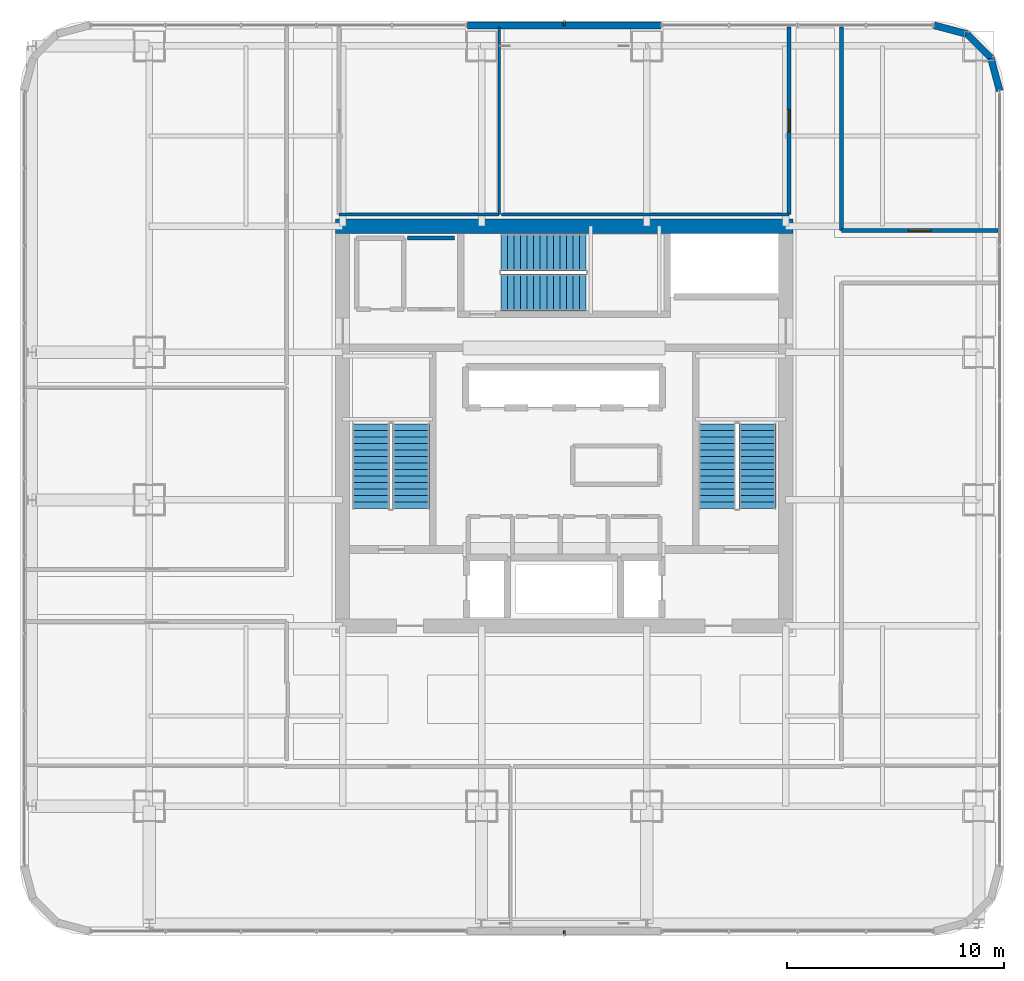
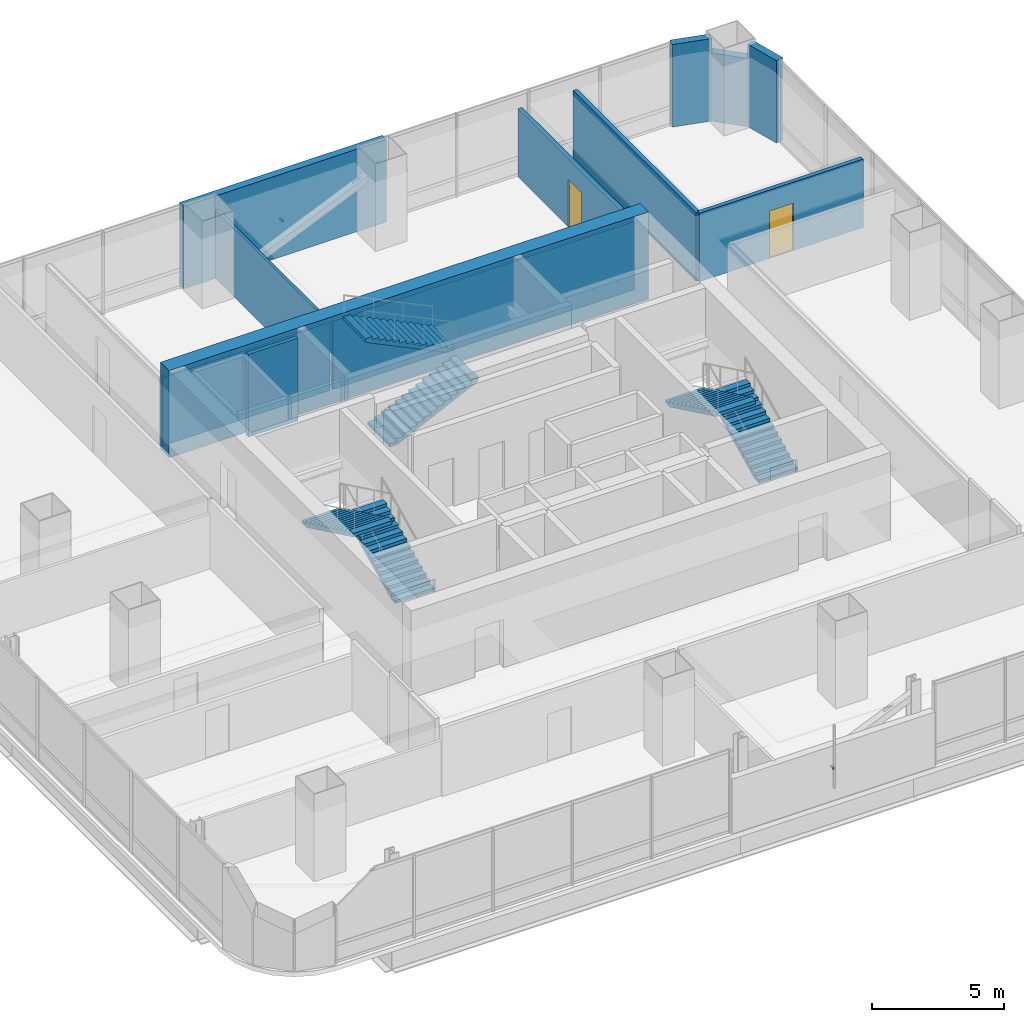
# One storey, part 30 of 38: 12 walls, 6 stair flights, 2 discrete accessories, 2 doors, 2 openings, 3 elements without a shape of their own.
"""IFC4 building model written with IfcOpenShell, lengths in metres."""

from ifc_helpers import new_model, si_unit, direction, frame, frame_2d, origin, origin_2d, place, context, subcontext, project, spatial, polyline, rectangle, outline, extrude, material, layer, layer_set, type_object, element, fill, aggregate, save


model = new_model("IFC4")

# Units and contexts
model_context = context("Model", 3, precision=1e-05, world=origin(), true_north=direction((0.0, 1.0)))
body_context = subcontext(model_context, "Body", "Model", "MODEL_VIEW")
ifc_project = project(units=[si_unit("LENGTHUNIT", "METRE"), si_unit("AREAUNIT", "SQUARE_METRE"), si_unit("VOLUMEUNIT", "CUBIC_METRE"), si_unit("PLANEANGLEUNIT", "RADIAN"), si_unit("MASSUNIT", "GRAM", prefix="KILO")], contexts=[model_context])

# Site, building, storey
site_placement = place(None, origin())
site = spatial("IfcSite", under=ifc_project, at=site_placement, CompositionType="ELEMENT")
building_placement = place(site_placement, origin())
building = spatial("IfcBuilding", under=site, at=building_placement, Name="Punatoya Terracotta Tower", CompositionType="ELEMENT")
storey_placement = place(building_placement, frame((0.0, 0.0, 188.39990234375)))
storey = spatial("IfcBuildingStorey", under=building, at=storey_placement, Name="L44", CompositionType="ELEMENT", Elevation=188.39990234375)

# Walls
ifc_material_1 = material(Name="Concrete C60/75", Category="concrete")
ifc_layer_1 = layer(ifc_material_1, 0.64990234375)
ifc_layer_set_1 = layer_set([ifc_layer_1], Name="Concrete C60/75")
wall_type_1 = type_object("IfcWallType", Name="WL-COR-650", PredefinedType="SHEAR", material=ifc_layer_set_1)
wall_1_placement = place(storey_placement, frame((-10.52490234375, 9.199951171875, 0.0), z_axis=(0.0, 0.0, 1.0), x_axis=(1.0, 0.0, 0.0)))
element("IfcWall", 1, at=wall_1_placement, inside=storey, type_object=wall_type_1, Name="L44 Core Shear Wall N", PredefinedType="SHEAR", context=body_context, shape_type="SweptSolid", body=[
    extrude(rectangle(XDim=21.0498046875, YDim=0.64990234375, at=frame_2d((10.52490234375, 0.0))), origin(), (0.0, 0.0, 1.0), 4.050048828125),
])
ifc_material_2 = material(Name="Gypsum Fireboard + Steel Stud", Category="steel")
ifc_layer_2 = layer(ifc_material_2, 0.179931640625)
ifc_layer_set_2 = layer_set([ifc_layer_2], Name="Gypsum Fireboard + Steel Stud")
wall_type_2 = type_object("IfcWallType", Name="WL-CORR-180", PredefinedType="PARTITIONING", material=ifc_layer_set_2)
wall_2_placement = place(storey_placement, frame((-5.050048828125, 8.64990234375, 0.0), z_axis=(0.0, 0.0, 1.0), x_axis=(-1.0, 0.0, 0.0)))
element("IfcWall", 2, at=wall_2_placement, inside=storey, type_object=wall_type_2, Name="L44 West Core Print Room Partition 18", PredefinedType="PARTITIONING", context=body_context, shape_type="SweptSolid", body=[
    extrude(rectangle(XDim=2.169921875, YDim=0.179931640625, at=frame_2d((1.0849609375, 0.0))), origin(), (0.0, 0.0, 1.0), 3.830078125),
])

# Wall, opening, door
wall_3_placement = place(storey_placement, frame((19.969970703125, 9.0, 0.0), z_axis=(0.0, 0.0, 1.0), x_axis=(-1.0, 0.0, 0.0)))
wall_3 = element("IfcWall", 3, at=wall_3_placement, inside=storey, type_object=wall_type_2, Name="L44 Open-Plan Wellness Quiet Room Partition 37", PredefinedType="PARTITIONING", context=body_context, shape_type="SweptSolid", body=[
    extrude(rectangle(XDim=7.199951171875, YDim=0.179931640625, at=frame_2d((3.60009765625, 0.0))), origin(), (0.0, 0.0, 1.0), 3.174072265625),
])
opening_1_placement = place(wall_3_placement, frame((3.074951171875, 0.0, 0.0)))
opening_1 = element("IfcOpeningElement", 4, at=opening_1_placement, cuts=wall_3, Name="Opening OD-01", PredefinedType="OPENING", context=body_context, shape_type="SweptSolid", body=[
    extrude(rectangle(XDim=1.050048828125, YDim=2.199951171875, at=frame_2d((0.52490234375, 1.10009765625))), frame((0.0, 0.099853515625, 0.0), z_axis=(0.0, -1.0, 0.0), x_axis=(1.0, 0.0, 0.0)), (0.0, 0.0, 1.0), 0.199951171875),
])
ifc_material_3 = material(Name="Bengal Teak Solid-Core Leaf")
door_type = type_object("IfcDoorType", Name="DR-OFF-1050", OperationType="NOTDEFINED", PredefinedType="DOOR", material=ifc_material_3)
door_1_placement = place(opening_1_placement, origin())
door_1 = element("IfcDoor", 5, at=door_1_placement, inside=storey, type_object=door_type, Name="L44 Open-Plan Wellness Quiet Room Door", OperationType="SINGLE_SWING_LEFT", OverallHeight=2.199951171875, OverallWidth=1.050048828125, PredefinedType="DOOR", context=body_context, shape_type="SweptSolid", body=[
    extrude(rectangle(XDim=1.050048828125, YDim=2.199951171875, at=frame_2d((0.52490234375, 1.10009765625))), frame((0.0, 0.02490234375, 0.0), z_axis=(0.0, -1.0, 0.0), x_axis=(1.0, 0.0, 0.0)), (0.0, 0.0, 1.0), 0.050048828125),
])
fill(opening_1, door_1)

# Wall
wall_4_placement = place(storey_placement, frame((12.77001953125, 9.0, 0.0), z_axis=(0.0, 0.0, 1.0), x_axis=(0.0, 1.0, 0.0)))
element("IfcWall", 6, at=wall_4_placement, inside=storey, type_object=wall_type_2, Name="L44 Open-Plan Wellness Quiet Room Partition 38", PredefinedType="PARTITIONING", context=body_context, shape_type="SweptSolid", body=[
    extrude(rectangle(XDim=9.3701171875, YDim=0.179931640625, at=frame_2d((4.68505859375, 0.0))), origin(), (0.0, 0.0, 1.0), 3.174072265625),
])

# Wall, opening, door
wall_5_placement = place(storey_placement, frame((10.360107421875, 18.3701171875, 0.0), z_axis=(0.0, 0.0, 1.0), x_axis=(0.0, -1.0, 0.0)))
wall_5 = element("IfcWall", 7, at=wall_5_placement, inside=storey, type_object=wall_type_2, Name="L44 Open-Plan Quantitative Practice Office Partition 43", PredefinedType="PARTITIONING", context=body_context, shape_type="SweptSolid", body=[
    extrude(rectangle(XDim=8.630126953125, YDim=0.179931640625, at=frame_2d((4.31494140625, 0.0))), origin(), (0.0, 0.0, 1.0), 3.174072265625),
])
opening_2_placement = place(wall_5_placement, frame((3.7900390625, 0.0, 0.0)))
opening_2 = element("IfcOpeningElement", 8, at=opening_2_placement, cuts=wall_5, Name="Opening OD-01", PredefinedType="OPENING", context=body_context, shape_type="SweptSolid", body=[
    extrude(rectangle(XDim=1.050048828125, YDim=2.199951171875, at=frame_2d((0.52490234375, 1.10009765625))), frame((0.0, 0.099853515625, 0.0), z_axis=(0.0, -1.0, 0.0), x_axis=(1.0, 0.0, 0.0)), (0.0, 0.0, 1.0), 0.199951171875),
])
door_2_placement = place(opening_2_placement, origin())
door_2 = element("IfcDoor", 9, at=door_2_placement, inside=storey, type_object=door_type, Name="L44 Open-Plan Quantitative Practice Office Door", OperationType="SINGLE_SWING_LEFT", OverallHeight=2.199951171875, OverallWidth=1.050048828125, PredefinedType="DOOR", context=body_context, shape_type="SweptSolid", body=[
    extrude(rectangle(XDim=1.050048828125, YDim=2.199951171875, at=frame_2d((0.52490234375, 1.10009765625))), frame((0.0, 0.02490234375, 0.0), z_axis=(0.0, -1.0, 0.0), x_axis=(1.0, 0.0, 0.0)), (0.0, 0.0, 1.0), 0.050048828125),
])
fill(opening_2, door_2)

# Walls
ifc_material_4 = material(Name="Precast concrete C40/50", Category="concrete")
ifc_layer_3 = layer(ifc_material_4, 0.320068359375)
ifc_layer_set_3 = layer_set([ifc_layer_3], Name="Precast concrete C40/50")
wall_type_3 = type_object("IfcWallType", Name="WL-EXT-320", PredefinedType="SOLIDWALL", material=ifc_layer_set_3)
wall_6_placement = place(storey_placement, frame((20.050048828125, 15.43701171875, 0.0), z_axis=(0.0, 0.0, 1.0), x_axis=(-0.257847112249, 0.966185730957, 0.0)))
element("IfcWall", 10, at=wall_6_placement, inside=storey, type_object=wall_type_3, Name="L44 Rounded Terracotta Corner Pier 06", PredefinedType="SOLIDWALL", context=body_context, shape_type="SweptSolid", body=[
    extrude(rectangle(XDim=1.565185546875, YDim=0.320068359375, at=frame_2d((0.78271484375, 0.0))), origin(), (0.0, 0.0, 1.0), 3.830078125),
])
wall_7_placement = place(storey_placement, frame((19.646484375, 16.94921875, 0.0), z_axis=(0.0, 0.0, 1.0), x_axis=(-0.707106781187, 0.707106781187, 0.0)))
element("IfcWall", 11, at=wall_7_placement, inside=storey, type_object=wall_type_3, Name="L44 Rounded Terracotta Corner Pier 07", PredefinedType="SOLIDWALL", context=body_context, shape_type="SweptSolid", body=[
    extrude(rectangle(XDim=1.552001953125, YDim=0.320068359375, at=frame_2d((0.77587890625, 0.0))), origin(), (0.0, 0.0, 1.0), 3.174072265625),
])
wall_8_placement = place(storey_placement, frame((18.549072265625, 18.046630859375, 0.0), z_axis=(0.0, 0.0, 1.0), x_axis=(-0.966224582397, 0.257701486942, 0.0)))
element("IfcWall", 12, at=wall_8_placement, inside=storey, type_object=wall_type_3, Name="L44 Rounded Terracotta Corner Pier 08", PredefinedType="SOLIDWALL", context=body_context, shape_type="SweptSolid", body=[
    extrude(rectangle(XDim=1.565185546875, YDim=0.320068359375, at=frame_2d((0.78271484375, 0.0))), origin(), (0.0, 0.0, 1.0), 3.830078125),
])
wall_9_placement = place(storey_placement, frame((4.449951171875, 18.449951171875, 0.0), z_axis=(0.0, 0.0, 1.0), x_axis=(-1.0, 0.0, 0.0)))
element("IfcWall", 13, at=wall_9_placement, inside=storey, type_object=wall_type_3, Name="L44 Terracotta Braced Facade Wall N1", PredefinedType="SOLIDWALL", context=body_context, shape_type="SweptSolid", body=[
    extrude(rectangle(XDim=8.89990234375, YDim=0.320068359375, at=frame_2d((4.449951171875, 0.0))), origin(), (0.0, 0.0, 1.0), 3.830078125),
])
ifc_material_5 = material(Name="Gypsum Partition + Steel Stud", Category="steel")
ifc_layer_4 = layer(ifc_material_5, 0.1201171875)
ifc_layer_set_4 = layer_set([ifc_layer_4], Name="Gypsum Partition + Steel Stud")
wall_type_4 = type_object("IfcWallType", Name="WL-OFF-120", PredefinedType="PARTITIONING", material=ifc_layer_set_4)
wall_10_placement = place(storey_placement, frame((-2.993896484375, 18.3701171875, 0.0), z_axis=(0.0, 0.0, 1.0), x_axis=(0.0, -1.0, 0.0)))
element("IfcWall", 14, at=wall_10_placement, inside=storey, type_object=wall_type_4, Name="L44 Open-Plan Systems Engineering Office Partition 39", PredefinedType="PARTITIONING", context=body_context, shape_type="SweptSolid", body=[
    extrude(rectangle(XDim=8.630126953125, YDim=0.1201171875, at=frame_2d((4.31494140625, 0.0))), origin(), (0.0, 0.0, 1.0), 3.174072265625),
])
wall_11_placement = place(storey_placement, frame((-2.993896484375, 9.739990234375, 0.0), z_axis=(0.0, 0.0, 1.0), x_axis=(-1.0, 0.0, 0.0)))
element("IfcWall", 15, at=wall_11_placement, inside=storey, type_object=wall_type_4, Name="L44 Open-Plan Systems Engineering Office Partition 40", PredefinedType="PARTITIONING", context=body_context, shape_type="SweptSolid", body=[
    extrude(rectangle(XDim=7.3662109375, YDim=0.1201171875, at=frame_2d((3.68310546875, 0.0))), origin(), (0.0, 0.0, 1.0), 3.174072265625),
])
wall_12_placement = place(storey_placement, frame((10.360107421875, 9.739990234375, 0.0), z_axis=(0.0, 0.0, 1.0), x_axis=(-1.0, 0.0, 0.0)))
element("IfcWall", 16, at=wall_12_placement, inside=storey, type_object=wall_type_4, Name="L44 Open-Plan Quantitative Practice Office Partition 42", PredefinedType="PARTITIONING", context=body_context, shape_type="SweptSolid", body=[
    extrude(rectangle(XDim=13.234130859375, YDim=0.1201171875, at=frame_2d((6.6171875, 0.0))), origin(), (0.0, 0.0, 1.0), 3.174072265625),
])

# Stair, stair flights
ifc_material_6 = material(Name="Concrete C40/50", Category="concrete")
stair_type_1 = type_object("IfcStairType", Name="STR-CORE-1550", PredefinedType="HALF_TURN_STAIR", material=ifc_material_6)
stair_1_placement = place(storey_placement, origin())
stair_1 = element("IfcStair", 17, at=stair_1_placement, inside=storey, type_object=stair_type_1, Name="L44 Protected Core Exit Stair ST-1", PredefinedType="HALF_TURN_STAIR")
stair_flight_type_1 = type_object("IfcStairFlightType", Name="SFL-CORE-1550", PredefinedType="STRAIGHT", material=ifc_material_6)
stair_flight_1_placement = place(storey_placement, frame((-7.050048828125, -3.800048828125, 0.0), z_axis=(0.0, 0.0, 1.0), x_axis=(0.0, 1.0, 0.0)))
stair_flight_1 = element("IfcStairFlight", 18, at=stair_flight_1_placement, type_object=stair_flight_type_1, Name="ST-1 flight 1", NumberOfRisers=14, NumberOfTreads=13, PredefinedType="STRAIGHT", RiserHeight=0.144642857, TreadLength=0.3, context=body_context, shape_type="SweptSolid", body=[
    extrude(outline(polyline([(0.0, 0.0), (0.0, 0.14453125), (0.300048828125, 0.14453125), (0.300048828125, 0.289306640625), (0.60009765625, 0.289306640625), (0.60009765625, 0.433837890625), (0.89990234375, 0.433837890625), (0.89990234375, 0.57861328125), (1.199951171875, 0.57861328125), (1.199951171875, 0.72314453125), (1.5, 0.72314453125), (1.5, 0.867919921875), (1.800048828125, 0.867919921875), (1.800048828125, 1.012451171875), (2.10009765625, 1.012451171875), (2.10009765625, 1.1572265625), (2.39990234375, 1.1572265625), (2.39990234375, 1.3017578125), (2.699951171875, 1.3017578125), (2.699951171875, 1.446533203125), (3.0, 1.446533203125), (3.0, 1.591064453125), (3.300048828125, 1.591064453125), (3.300048828125, 1.735595703125), (3.60009765625, 1.735595703125), (3.60009765625, 1.88037109375), (3.89990234375, 1.88037109375), (3.89990234375, 2.02490234375), (3.89990234375, 1.7138671875), (0.34521484375, 0.0), (0.0, 0.0)])), frame((0.0, 0.85009765625, 0.0), z_axis=(0.0, -1.0, 0.0), x_axis=(1.0, 0.0, 0.0)), (0.0, 0.0, 1.0), 1.699951171875),
])
stair_flight_2_placement = place(storey_placement, frame((-8.89990234375, 0.10009765625, 2.025146484375), z_axis=(0.0, 0.0, 1.0), x_axis=(0.0, -1.0, 0.0)))
stair_flight_2 = element("IfcStairFlight", 19, at=stair_flight_2_placement, type_object=stair_flight_type_1, Name="ST-1 flight 2", NumberOfRisers=14, NumberOfTreads=13, PredefinedType="STRAIGHT", RiserHeight=0.144642857, TreadLength=0.3, context=body_context, shape_type="SweptSolid", body=[
    extrude(outline(polyline([(0.0, 0.0), (0.0, 0.14453125), (0.300048828125, 0.14453125), (0.300048828125, 0.289306640625), (0.60009765625, 0.289306640625), (0.60009765625, 0.433837890625), (0.89990234375, 0.433837890625), (0.89990234375, 0.57861328125), (1.199951171875, 0.57861328125), (1.199951171875, 0.72314453125), (1.5, 0.72314453125), (1.5, 0.867919921875), (1.800048828125, 0.867919921875), (1.800048828125, 1.012451171875), (2.10009765625, 1.012451171875), (2.10009765625, 1.1572265625), (2.39990234375, 1.1572265625), (2.39990234375, 1.3017578125), (2.699951171875, 1.3017578125), (2.699951171875, 1.446533203125), (3.0, 1.446533203125), (3.0, 1.591064453125), (3.300048828125, 1.591064453125), (3.300048828125, 1.735595703125), (3.60009765625, 1.735595703125), (3.60009765625, 1.88037109375), (3.89990234375, 1.88037109375), (3.89990234375, 2.02490234375), (3.89990234375, 1.7138671875), (0.34521484375, 0.0), (0.0, 0.0)])), frame((0.0, 0.85009765625, 0.0), z_axis=(0.0, -1.0, 0.0), x_axis=(1.0, 0.0, 0.0)), (0.0, 0.0, 1.0), 1.699951171875),
])
aggregate(stair_1, [stair_flight_1, stair_flight_2])

stair_type_2 = type_object("IfcStairType", Name="STR-LOB-1650", PredefinedType="HALF_TURN_STAIR", material=ifc_material_6)
stair_2_placement = place(storey_placement, origin())
stair_2 = element("IfcStair", 20, at=stair_2_placement, inside=storey, type_object=stair_type_2, Name="L44 Protected Core Exit Stair ST-2", PredefinedType="HALF_TURN_STAIR")
stair_flight_type_2 = type_object("IfcStairFlightType", Name="SFL-LOB-1650", PredefinedType="STRAIGHT", material=ifc_material_6)
stair_flight_3_placement = place(storey_placement, frame((8.89990234375, -3.800048828125, 0.0), z_axis=(0.0, 0.0, 1.0), x_axis=(0.0, 1.0, 0.0)))
stair_flight_3 = element("IfcStairFlight", 21, at=stair_flight_3_placement, type_object=stair_flight_type_2, Name="ST-2 flight 1", NumberOfRisers=14, NumberOfTreads=13, PredefinedType="STRAIGHT", RiserHeight=0.144642857, TreadLength=0.3, context=body_context, shape_type="SweptSolid", body=[
    extrude(outline(polyline([(0.0, 0.0), (0.0, 0.14453125), (0.300048828125, 0.14453125), (0.300048828125, 0.289306640625), (0.60009765625, 0.289306640625), (0.60009765625, 0.433837890625), (0.89990234375, 0.433837890625), (0.89990234375, 0.57861328125), (1.199951171875, 0.57861328125), (1.199951171875, 0.72314453125), (1.5, 0.72314453125), (1.5, 0.867919921875), (1.800048828125, 0.867919921875), (1.800048828125, 1.012451171875), (2.10009765625, 1.012451171875), (2.10009765625, 1.1572265625), (2.39990234375, 1.1572265625), (2.39990234375, 1.3017578125), (2.699951171875, 1.3017578125), (2.699951171875, 1.446533203125), (3.0, 1.446533203125), (3.0, 1.591064453125), (3.300048828125, 1.591064453125), (3.300048828125, 1.735595703125), (3.60009765625, 1.735595703125), (3.60009765625, 1.88037109375), (3.89990234375, 1.88037109375), (3.89990234375, 2.02490234375), (3.89990234375, 1.7138671875), (0.34521484375, 0.0), (0.0, 0.0)])), frame((0.0, 0.85009765625, 0.0), z_axis=(0.0, -1.0, 0.0), x_axis=(1.0, 0.0, 0.0)), (0.0, 0.0, 1.0), 1.699951171875),
])
stair_flight_4_placement = place(storey_placement, frame((7.050048828125, 0.10009765625, 2.025146484375), z_axis=(0.0, 0.0, 1.0), x_axis=(0.0, -1.0, 0.0)))
stair_flight_4 = element("IfcStairFlight", 22, at=stair_flight_4_placement, type_object=stair_flight_type_2, Name="ST-2 flight 2", NumberOfRisers=14, NumberOfTreads=13, PredefinedType="STRAIGHT", RiserHeight=0.144642857, TreadLength=0.3, context=body_context, shape_type="SweptSolid", body=[
    extrude(outline(polyline([(0.0, 0.0), (0.0, 0.14453125), (0.300048828125, 0.14453125), (0.300048828125, 0.289306640625), (0.60009765625, 0.289306640625), (0.60009765625, 0.433837890625), (0.89990234375, 0.433837890625), (0.89990234375, 0.57861328125), (1.199951171875, 0.57861328125), (1.199951171875, 0.72314453125), (1.5, 0.72314453125), (1.5, 0.867919921875), (1.800048828125, 0.867919921875), (1.800048828125, 1.012451171875), (2.10009765625, 1.012451171875), (2.10009765625, 1.1572265625), (2.39990234375, 1.1572265625), (2.39990234375, 1.3017578125), (2.699951171875, 1.3017578125), (2.699951171875, 1.446533203125), (3.0, 1.446533203125), (3.0, 1.591064453125), (3.300048828125, 1.591064453125), (3.300048828125, 1.735595703125), (3.60009765625, 1.735595703125), (3.60009765625, 1.88037109375), (3.89990234375, 1.88037109375), (3.89990234375, 2.02490234375), (3.89990234375, 1.7138671875), (0.34521484375, 0.0), (0.0, 0.0)])), frame((0.0, 0.85009765625, 0.0), z_axis=(0.0, -1.0, 0.0), x_axis=(1.0, 0.0, 0.0)), (0.0, 0.0, 1.0), 1.699951171875),
])
aggregate(stair_2, [stair_flight_3, stair_flight_4])

stair_type_3 = type_object("IfcStairType", Name="STR-TER-1450", PredefinedType="HALF_TURN_STAIR", material=ifc_material_6)
stair_3_placement = place(storey_placement, origin())
stair_3 = element("IfcStair", 23, at=stair_3_placement, inside=storey, type_object=stair_type_3, Name="L44 Protected Core Exit Stair ST-3", PredefinedType="HALF_TURN_STAIR")
stair_flight_type_3 = type_object("IfcStairFlightType", Name="SFL-TER-1450", PredefinedType="STRAIGHT", material=ifc_material_6)
stair_flight_5_placement = place(storey_placement, frame((-2.89990234375, 6.14990234375, 0.0), z_axis=(0.0, 0.0, 1.0), x_axis=(1.0, 0.0, 0.0)))
stair_flight_5 = element("IfcStairFlight", 24, at=stair_flight_5_placement, type_object=stair_flight_type_3, Name="ST-3 flight 1", NumberOfRisers=14, NumberOfTreads=13, PredefinedType="STRAIGHT", RiserHeight=0.144642857, TreadLength=0.3, context=body_context, shape_type="SweptSolid", body=[
    extrude(outline(polyline([(0.0, 0.0), (0.0, 0.14453125), (0.300048828125, 0.14453125), (0.300048828125, 0.289306640625), (0.60009765625, 0.289306640625), (0.60009765625, 0.433837890625), (0.89990234375, 0.433837890625), (0.89990234375, 0.57861328125), (1.199951171875, 0.57861328125), (1.199951171875, 0.72314453125), (1.5, 0.72314453125), (1.5, 0.867919921875), (1.800048828125, 0.867919921875), (1.800048828125, 1.012451171875), (2.10009765625, 1.012451171875), (2.10009765625, 1.1572265625), (2.39990234375, 1.1572265625), (2.39990234375, 1.3017578125), (2.699951171875, 1.3017578125), (2.699951171875, 1.446533203125), (3.0, 1.446533203125), (3.0, 1.591064453125), (3.300048828125, 1.591064453125), (3.300048828125, 1.735595703125), (3.60009765625, 1.735595703125), (3.60009765625, 1.88037109375), (3.89990234375, 1.88037109375), (3.89990234375, 2.02490234375), (3.89990234375, 1.7138671875), (0.34521484375, 0.0), (0.0, 0.0)])), frame((0.0, 0.85009765625, 0.0), z_axis=(0.0, -1.0, 0.0), x_axis=(1.0, 0.0, 0.0)), (0.0, 0.0, 1.0), 1.699951171875),
])
stair_flight_6_placement = place(storey_placement, frame((1.0, 8.0, 2.025146484375), z_axis=(0.0, 0.0, 1.0), x_axis=(-1.0, 0.0, 0.0)))
stair_flight_6 = element("IfcStairFlight", 25, at=stair_flight_6_placement, type_object=stair_flight_type_3, Name="ST-3 flight 2", NumberOfRisers=14, NumberOfTreads=13, PredefinedType="STRAIGHT", RiserHeight=0.144642857, TreadLength=0.3, context=body_context, shape_type="SweptSolid", body=[
    extrude(outline(polyline([(0.0, 0.0), (0.0, 0.14453125), (0.300048828125, 0.14453125), (0.300048828125, 0.289306640625), (0.60009765625, 0.289306640625), (0.60009765625, 0.433837890625), (0.89990234375, 0.433837890625), (0.89990234375, 0.57861328125), (1.199951171875, 0.57861328125), (1.199951171875, 0.72314453125), (1.5, 0.72314453125), (1.5, 0.867919921875), (1.800048828125, 0.867919921875), (1.800048828125, 1.012451171875), (2.10009765625, 1.012451171875), (2.10009765625, 1.1572265625), (2.39990234375, 1.1572265625), (2.39990234375, 1.3017578125), (2.699951171875, 1.3017578125), (2.699951171875, 1.446533203125), (3.0, 1.446533203125), (3.0, 1.591064453125), (3.300048828125, 1.591064453125), (3.300048828125, 1.735595703125), (3.60009765625, 1.735595703125), (3.60009765625, 1.88037109375), (3.89990234375, 1.88037109375), (3.89990234375, 2.02490234375), (3.89990234375, 1.7138671875), (0.34521484375, 0.0), (0.0, 0.0)])), frame((0.0, 0.85009765625, 0.0), z_axis=(0.0, -1.0, 0.0), x_axis=(1.0, 0.0, 0.0)), (0.0, 0.0, 1.0), 1.699951171875),
])
aggregate(stair_3, [stair_flight_5, stair_flight_6])

# Discrete accessories
ifc_material_7 = material(Name="Steel S355", Category="steel")
discrete_accessory_type = type_object("IfcDiscreteAccessoryType", Name="ACC-BRK-220", PredefinedType="BRACKET", material=ifc_material_7)
for number, where, z_axis, x_axis, name in (
    (26, (0.0, -23.35009765625, 1.449951171875), (0.0, 0.0, 1.0), (1.0, 0.0, 0.0), "L44 Jali Fin Support Bracket S1"),
    (27, (0.0, 18.550048828125, 1.449951171875), (0.0, 0.0, 1.0), (-1.0, 0.0, 0.0), "L44 Jali Fin Support Bracket N1"),
):
    element("IfcDiscreteAccessory", number, at=place(storey_placement, frame(where, z_axis=z_axis, x_axis=x_axis)), inside=storey, type_object=discrete_accessory_type, Name=name, PredefinedType="BRACKET", context=body_context, shape_type="SweptSolid", body=[
        extrude(rectangle(XDim=0.090087890625, YDim=0.219970703125, at=origin_2d()), origin(), (0.0, 0.0, 1.0), 0.10009765625),
    ])

save(model, "model.ifc")
